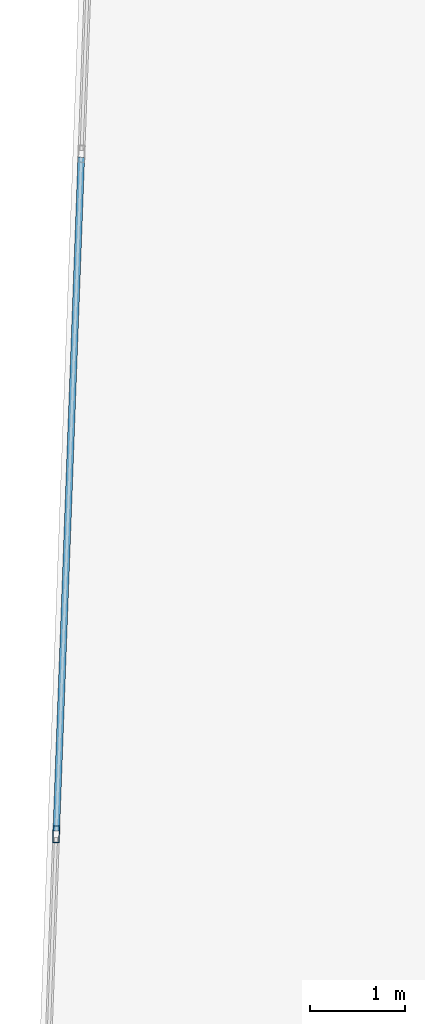
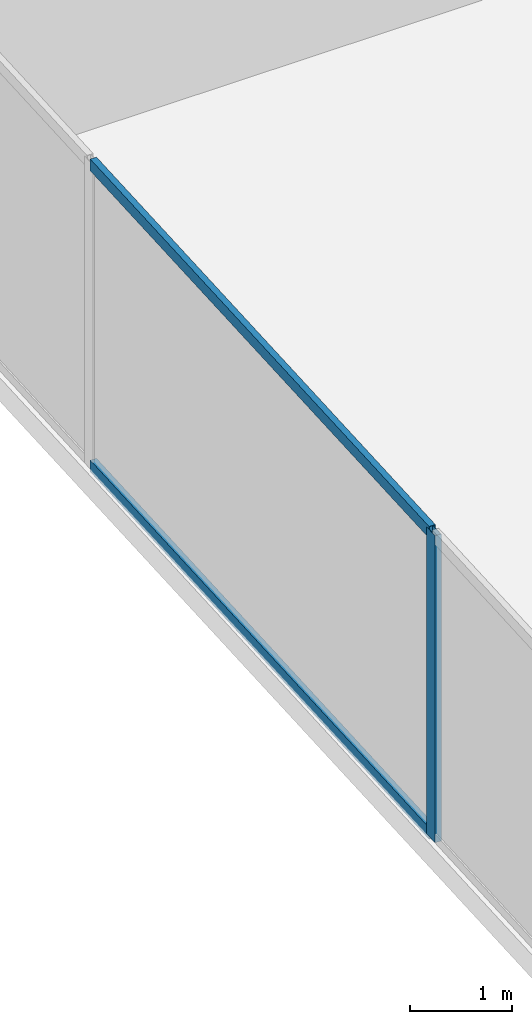
# One storey, part 4 of 30: 3 members, 1 element without a shape of its own.
"""IFC4 building model written with IfcOpenShell, lengths in metres."""

from ifc_helpers import new_model, si_unit, direction, frame, origin, origin_2d, place, context, subcontext, project, spatial, hollow_rectangle, extrude, source, transform, mapped, material, material_profile, profile_set, type_object, type_shapes, element, aggregate, save


model = new_model("IFC4")

# Units and contexts
model_context = context("Model", 3, precision=1e-05, world=origin(), true_north=direction((0.0, 1.0)))
body_context = subcontext(model_context, "Body", "Model", "MODEL_VIEW")
ifc_project = project(units=[si_unit("LENGTHUNIT", "METRE"), si_unit("AREAUNIT", "SQUARE_METRE"), si_unit("VOLUMEUNIT", "CUBIC_METRE"), si_unit("PLANEANGLEUNIT", "RADIAN"), si_unit("MASSUNIT", "GRAM", prefix="KILO")], contexts=[model_context])

# Site, building, storey
site_placement = place(None, origin())
site = spatial("IfcSite", under=ifc_project, at=site_placement, CompositionType="ELEMENT")
building_placement = place(site_placement, origin())
building = spatial("IfcBuilding", under=site, at=building_placement, Name="Krantzveldt Concourse Tower", CompositionType="ELEMENT")
storey_placement = place(building_placement, frame((0.0, 0.0, 36.85009765625)))
storey = spatial("IfcBuildingStorey", under=building, at=storey_placement, Name="L08", CompositionType="ELEMENT", Elevation=36.85009765625)

# Curtain wall, members
ifc_material = material(Name="Anodised aluminium 6063-T6", Category="aluminium")
curtain_wall_type = type_object("IfcCurtainWallType", Name="CW2", PredefinedType="USERDEFINED", material=ifc_material)
curtain_wall_placement = place(storey_placement, origin())
curtain_wall = element("IfcCurtainWall", 1, at=curtain_wall_placement, inside=storey, type_object=curtain_wall_type, Name="CW-L08-F01", ObjectType="UNITISED CURTAIN WALL", PredefinedType="USERDEFINED")
ifc_material_profile_1 = material_profile(ifc_material, hollow_rectangle(XDim=0.070068359375, YDim=0.179931640625, WallThickness=0.0048828125, at=origin_2d()), Name="Anodised aluminium 6063-T6", Category="aluminium")
ifc_profile_set_1 = profile_set([ifc_material_profile_1], Name="Anodised aluminium 6063-T6 - ALU-MULL 180x70x5")
member_type_1 = type_object("IfcMemberType", Name="CW-MUL-180", PredefinedType="MULLION", material=ifc_profile_set_1)
shared_shape_1 = source(origin(), body_context, "Body", "SweptSolid", [
    extrude(hollow_rectangle(XDim=0.070068359375, YDim=0.179931640625, WallThickness=0.0048828125, at=origin_2d()), origin(), (0.0, 0.0, 1.0), 3.669921875),
])
type_shapes(member_type_1, [shared_shape_1])
member_1_placement = place(storey_placement, frame((10.57568359375, 13.30029296875, 0.0), z_axis=(0.0, 0.0, 1.0), x_axis=(0.999312308986, -0.037079766834, 0.0)))
member_1 = element("IfcMember", 2, at=member_1_placement, type_object=member_type_1, Name="CW-Z12 mullion 6", PredefinedType="MULLION", context=body_context, shape_type="MappedRepresentation", body=[
    mapped(shared_shape_1, transform((0.0, 0.0, 0.0), x_axis=(1.0, 0.0, 0.0), y_axis=(0.0, 1.0, 0.0), z_axis=(0.0, 0.0, 1.0), scale=1.0)),
])
ifc_material_profile_2 = material_profile(ifc_material, hollow_rectangle(XDim=0.070068359375, YDim=0.139892578125, WallThickness=0.0048828125, at=origin_2d()), Name="Anodised aluminium 6063-T6", Category="aluminium")
ifc_profile_set_2 = profile_set([ifc_material_profile_2], Name="Anodised aluminium 6063-T6 - ALU-TRAN 140x70x5")
member_type_2 = type_object("IfcMemberType", Name="CW-TRN-150", PredefinedType="USERDEFINED", material=ifc_profile_set_2)
shared_shape_2 = source(origin(), body_context, "Body", "SweptSolid", [
    extrude(hollow_rectangle(XDim=0.070068359375, YDim=0.139892578125, WallThickness=0.0048828125, at=origin_2d()), origin(), (0.0, 0.0, 1.0), 7.0966796875),
])
type_shapes(member_type_2, [shared_shape_2])
member_2_placement = place(storey_placement, frame((10.840087890625, 20.427001953125, 0.034912109375), z_axis=(-0.037085459975, -0.999312097724, 0.0), x_axis=(0.999312097724, -0.037085459975, 0.0)))
member_2 = element("IfcMember", 3, at=member_2_placement, type_object=member_type_2, Name="CW-Z12 transom 5.1", ObjectType="TRANSOM", PredefinedType="USERDEFINED", context=body_context, shape_type="MappedRepresentation", body=[
    mapped(shared_shape_2, transform((0.0, 0.0, 0.0), x_axis=(1.0, 0.0, 0.0), y_axis=(0.0, 1.0, 0.0), z_axis=(0.0, 0.0, 1.0), scale=1.0)),
])
member_3_placement = place(storey_placement, frame((10.840087890625, 20.427001953125, 3.635009765625), z_axis=(-0.037085459975, -0.999312097724, 0.0), x_axis=(0.999312097724, -0.037085459975, 0.0)))
member_3 = element("IfcMember", 4, at=member_3_placement, type_object=member_type_2, Name="CW-Z12 transom 5.2", ObjectType="TRANSOM", PredefinedType="USERDEFINED", context=body_context, shape_type="MappedRepresentation", body=[
    mapped(shared_shape_2, transform((0.0, 0.0, 0.0), x_axis=(1.0, 0.0, 0.0), y_axis=(0.0, 1.0, 0.0), z_axis=(0.0, 0.0, 1.0), scale=1.0)),
])
aggregate(curtain_wall, [member_1, member_2, member_3])

save(model, "model.ifc")
